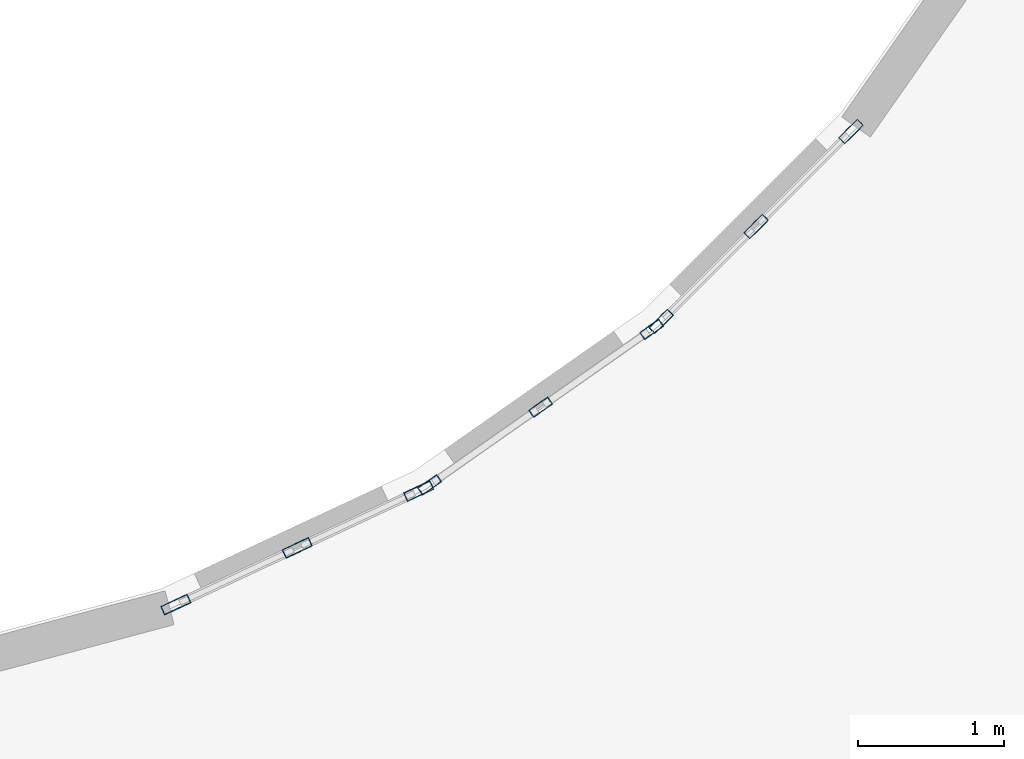
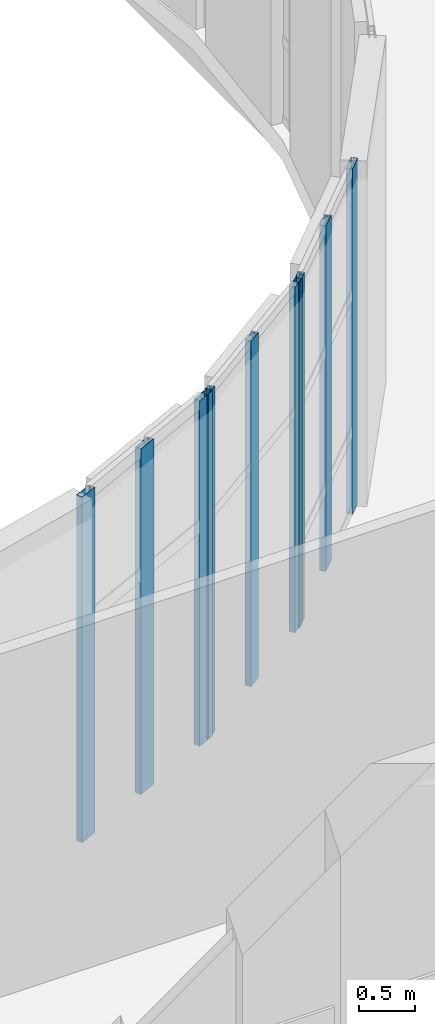
# One storey, part 22 of 89: 9 members, 3 elements without a shape of their own.
"""IFC4 building model written with IfcOpenShell, lengths in metres."""

from ifc_helpers import new_model, si_unit, direction, frame, origin, origin_2d, place, context, subcontext, project, spatial, hollow_rectangle, extrude, material, layer, layer_set, material_profile, profile_set, type_object, element, aggregate, save


model = new_model("IFC4")

# Units and contexts
model_context = context("Model", 3, precision=1e-05, world=origin(), true_north=direction((0.0, 1.0)))
body_context = subcontext(model_context, "Body", "Model", "MODEL_VIEW")
ifc_project = project(units=[si_unit("LENGTHUNIT", "METRE"), si_unit("AREAUNIT", "SQUARE_METRE"), si_unit("VOLUMEUNIT", "CUBIC_METRE"), si_unit("PLANEANGLEUNIT", "RADIAN"), si_unit("MASSUNIT", "GRAM", prefix="KILO")], contexts=[model_context])

# Site, building, storey
site_placement = place(None, origin())
site = spatial("IfcSite", under=ifc_project, at=site_placement, CompositionType="ELEMENT")
building_placement = place(site_placement, origin())
building = spatial("IfcBuilding", under=site, at=building_placement, Name="Kelanivale Promenade Academy", CompositionType="ELEMENT")
storey_placement = place(building_placement, frame((0.0, 0.0, 12.199951171875)))
storey = spatial("IfcBuildingStorey", under=building, at=storey_placement, Name="L03", CompositionType="ELEMENT", Elevation=12.199951171875)

# Curtain wall, members
ifc_material_1 = material(Name="Bronze anodised aluminium and solar-control low-E glass", Category="aluminium")
ifc_layer_1 = layer(ifc_material_1, 0.159912109375)
ifc_layer_set_1 = layer_set([ifc_layer_1], Name="Bronze anodised aluminium and solar-control low-E glass")
curtain_wall_type_1 = type_object("IfcCurtainWallType", Name="CW-09 Curtain Wall 1650mm Module", PredefinedType="USERDEFINED", material=ifc_layer_set_1)
curtain_wall_1_placement = place(storey_placement, origin())
curtain_wall_1 = element("IfcCurtainWall", 1, at=curtain_wall_1_placement, inside=storey, type_object=curtain_wall_type_1, Name="L03 courtyard curtain wall CW-09", ObjectType="UNITISED GLAZING", PredefinedType="USERDEFINED")
ifc_material_2 = material(Name="Bronze anodised aluminium EN AW-6063 T6", Category="aluminium")
ifc_material_profile_1 = material_profile(ifc_material_2, hollow_rectangle(XDim=0.06005859375, YDim=0.159912109375, WallThickness=0.00390625, at=origin_2d()), Name="ALU 60x160x4.0")
ifc_profile_set_1 = profile_set([ifc_material_profile_1], Name="Bronze anodised aluminium EN AW-6063 T6")
member_type_1 = type_object("IfcMemberType", Name="CWM-01 ALU 60x160x4.0", PredefinedType="MULLION", material=ifc_profile_set_1)
member_1_placement = place(storey_placement, frame((69.004638671875, 47.17626953125, 0.0), z_axis=(0.0, 0.0, 1.0), x_axis=(-0.573567324515, 0.81915842439, 0.0)))
member_1 = element("IfcMember", 2, at=member_1_placement, type_object=member_type_1, Name="CW-09 mullion 1", PredefinedType="MULLION", context=body_context, shape_type="SweptSolid", body=[
    extrude(hollow_rectangle(XDim=0.06005859375, YDim=0.159912109375, WallThickness=0.00390625, at=origin_2d()), origin(), (0.0, 0.0, 1.0), 3.780029296875),
])
member_2_placement = place(storey_placement, frame((69.765380859375, 47.708984375, 0.0), z_axis=(0.0, 0.0, 1.0), x_axis=(-0.573567324515, 0.81915842439, 0.0)))
member_2 = element("IfcMember", 3, at=member_2_placement, type_object=member_type_1, Name="CW-09 mullion 2", PredefinedType="MULLION", context=body_context, shape_type="SweptSolid", body=[
    extrude(hollow_rectangle(XDim=0.06005859375, YDim=0.159912109375, WallThickness=0.00390625, at=origin_2d()), origin(), (0.0, 0.0, 1.0), 3.780029296875),
])
member_3_placement = place(storey_placement, frame((70.5263671875, 48.24169921875, 0.0), z_axis=(0.0, 0.0, 1.0), x_axis=(-0.573567324515, 0.81915842439, 0.0)))
member_3 = element("IfcMember", 4, at=member_3_placement, type_object=member_type_1, Name="CW-09 mullion 3", PredefinedType="MULLION", context=body_context, shape_type="SweptSolid", body=[
    extrude(hollow_rectangle(XDim=0.06005859375, YDim=0.159912109375, WallThickness=0.00390625, at=origin_2d()), origin(), (0.0, 0.0, 1.0), 3.780029296875),
])
aggregate(curtain_wall_1, [member_1, member_2, member_3])

ifc_layer_2 = layer(ifc_material_1, 0.169921875)
ifc_layer_set_2 = layer_set([ifc_layer_2], Name="Bronze anodised aluminium and solar-control low-E glass")
curtain_wall_type_2 = type_object("IfcCurtainWallType", Name="CW-10 Curtain Wall 1800mm Module", PredefinedType="USERDEFINED", material=ifc_layer_set_2)
curtain_wall_2_placement = place(storey_placement, origin())
curtain_wall_2 = element("IfcCurtainWall", 5, at=curtain_wall_2_placement, inside=storey, type_object=curtain_wall_type_2, Name="L03 courtyard curtain wall CW-10", ObjectType="UNITISED GLAZING", PredefinedType="USERDEFINED")
ifc_material_profile_2 = material_profile(ifc_material_2, hollow_rectangle(XDim=0.06005859375, YDim=0.179931640625, WallThickness=0.00390625, at=origin_2d()), Name="ALU 60x180x4.0")
ifc_profile_set_2 = profile_set([ifc_material_profile_2], Name="Bronze anodised aluminium EN AW-6063 T6")
member_type_2 = type_object("IfcMemberType", Name="CWM-02 ALU 60x180x4.0", PredefinedType="MULLION", material=ifc_profile_set_2)
member_4_placement = place(storey_placement, frame((70.59130859375, 48.296142578125, 0.0), z_axis=(0.0, 0.0, 1.0), x_axis=(-0.707106781187, 0.707106781187, 0.0)))
member_4 = element("IfcMember", 6, at=member_4_placement, type_object=member_type_2, Name="CW-10 mullion 1", PredefinedType="MULLION", context=body_context, shape_type="SweptSolid", body=[
    extrude(hollow_rectangle(XDim=0.06005859375, YDim=0.179931640625, WallThickness=0.00390625, at=origin_2d()), origin(), (0.0, 0.0, 1.0), 3.780029296875),
])
member_5_placement = place(storey_placement, frame((71.241943359375, 48.947021484375, 0.0), z_axis=(0.0, 0.0, 1.0), x_axis=(-0.707106781187, 0.707106781187, 0.0)))
member_5 = element("IfcMember", 7, at=member_5_placement, type_object=member_type_2, Name="CW-10 mullion 2", PredefinedType="MULLION", context=body_context, shape_type="SweptSolid", body=[
    extrude(hollow_rectangle(XDim=0.06005859375, YDim=0.179931640625, WallThickness=0.00390625, at=origin_2d()), origin(), (0.0, 0.0, 1.0), 3.780029296875),
])
member_6_placement = place(storey_placement, frame((71.892822265625, 49.597900390625, 0.0), z_axis=(0.0, 0.0, 1.0), x_axis=(-0.707106781187, 0.707106781187, 0.0)))
member_6 = element("IfcMember", 8, at=member_6_placement, type_object=member_type_2, Name="CW-10 mullion 3", PredefinedType="MULLION", context=body_context, shape_type="SweptSolid", body=[
    extrude(hollow_rectangle(XDim=0.06005859375, YDim=0.179931640625, WallThickness=0.00390625, at=origin_2d()), origin(), (0.0, 0.0, 1.0), 3.780029296875),
])
aggregate(curtain_wall_2, [member_4, member_5, member_6])

ifc_layer_3 = layer(ifc_material_1, 0.179931640625)
ifc_layer_set_3 = layer_set([ifc_layer_3], Name="Bronze anodised aluminium and solar-control low-E glass")
curtain_wall_type_3 = type_object("IfcCurtainWallType", Name="CW-08 Curtain Wall 1500mm Module", PredefinedType="USERDEFINED", material=ifc_layer_set_3)
curtain_wall_3_placement = place(storey_placement, origin())
curtain_wall_3 = element("IfcCurtainWall", 9, at=curtain_wall_3_placement, inside=storey, type_object=curtain_wall_type_3, Name="L03 courtyard curtain wall CW-08", ObjectType="UNITISED GLAZING", PredefinedType="USERDEFINED")
ifc_material_profile_3 = material_profile(ifc_material_2, hollow_rectangle(XDim=0.06494140625, YDim=0.199951171875, WallThickness=0.00439453125, at=origin_2d()), Name="ALU 65x200x4.5")
ifc_profile_set_3 = profile_set([ifc_material_profile_3], Name="Bronze anodised aluminium EN AW-6063 T6")
member_type_3 = type_object("IfcMemberType", Name="CWM-04 ALU 65x200x4.5", PredefinedType="MULLION", material=ifc_profile_set_3)
member_7_placement = place(storey_placement, frame((67.264404296875, 46.355712890625, 0.0), z_axis=(0.0, 0.0, 1.0), x_axis=(-0.423086860887, 0.906089128146, 0.0)))
member_7 = element("IfcMember", 10, at=member_7_placement, type_object=member_type_3, Name="CW-08 mullion 1", PredefinedType="MULLION", context=body_context, shape_type="SweptSolid", body=[
    extrude(hollow_rectangle(XDim=0.06494140625, YDim=0.199951171875, WallThickness=0.00439453125, at=origin_2d()), origin(), (0.0, 0.0, 1.0), 3.780029296875),
])
member_8_placement = place(storey_placement, frame((68.096923828125, 46.744384765625, 0.0), z_axis=(0.0, 0.0, 1.0), x_axis=(-0.423086860887, 0.906089128146, 0.0)))
member_8 = element("IfcMember", 11, at=member_8_placement, type_object=member_type_3, Name="CW-08 mullion 2", PredefinedType="MULLION", context=body_context, shape_type="SweptSolid", body=[
    extrude(hollow_rectangle(XDim=0.06494140625, YDim=0.199951171875, WallThickness=0.00439453125, at=origin_2d()), origin(), (0.0, 0.0, 1.0), 3.780029296875),
])
member_9_placement = place(storey_placement, frame((68.929443359375, 47.13330078125, 0.0), z_axis=(0.0, 0.0, 1.0), x_axis=(-0.423086860887, 0.906089128146, 0.0)))
member_9 = element("IfcMember", 12, at=member_9_placement, type_object=member_type_3, Name="CW-08 mullion 3", PredefinedType="MULLION", context=body_context, shape_type="SweptSolid", body=[
    extrude(hollow_rectangle(XDim=0.06494140625, YDim=0.199951171875, WallThickness=0.00439453125, at=origin_2d()), origin(), (0.0, 0.0, 1.0), 3.780029296875),
])
aggregate(curtain_wall_3, [member_7, member_8, member_9])

save(model, "model.ifc")
